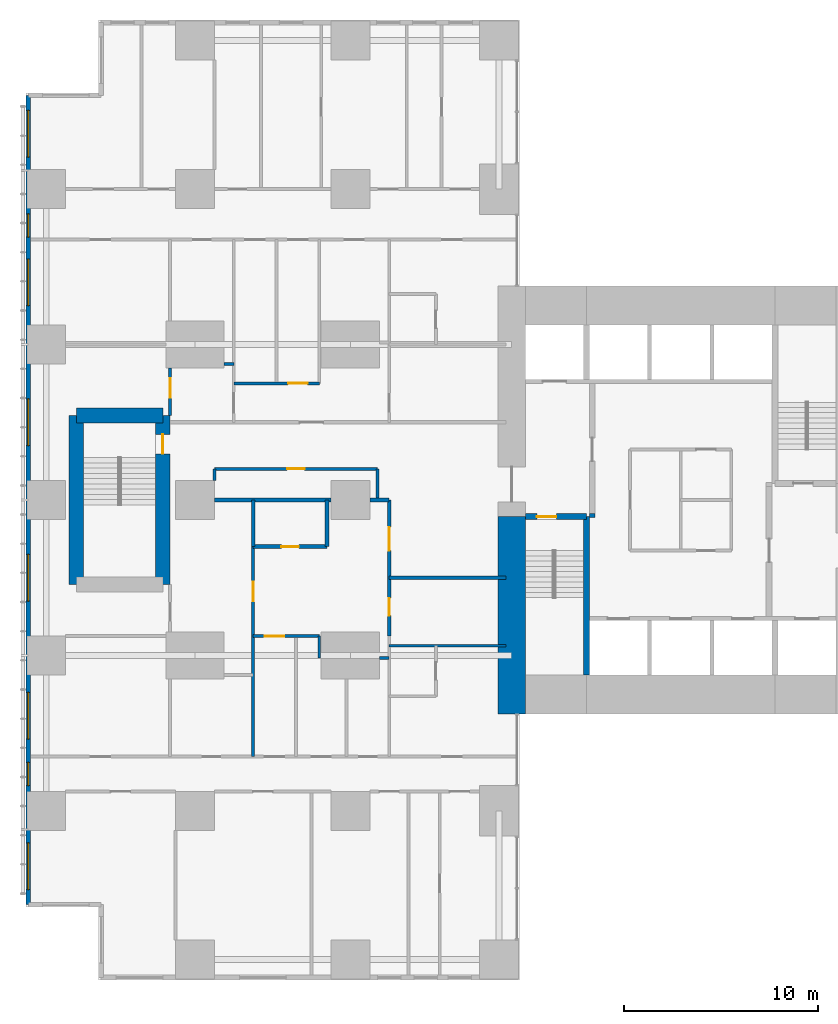
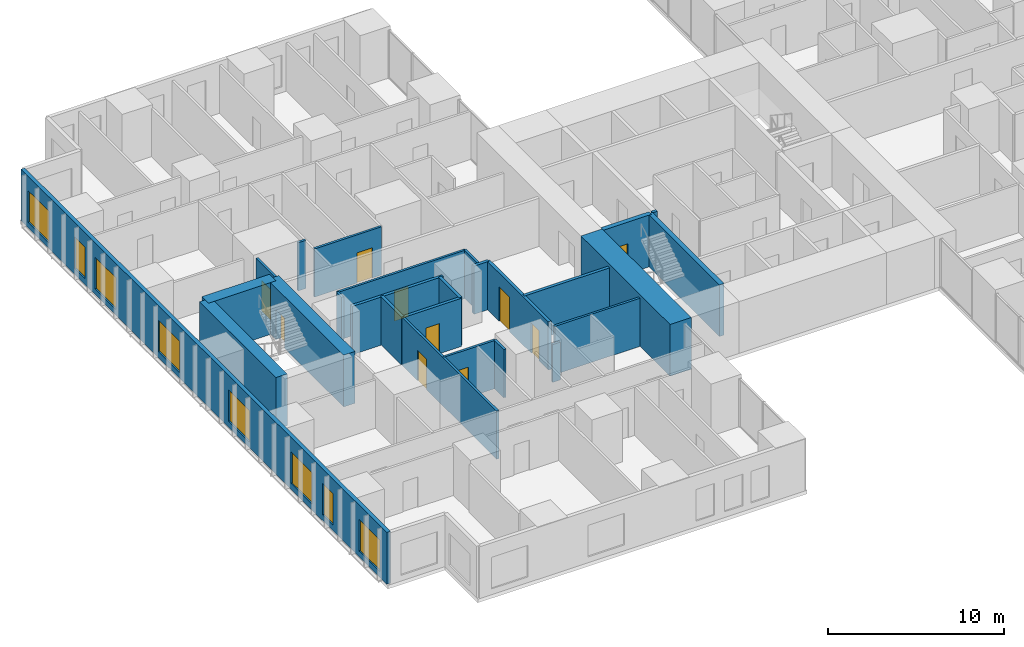
# One storey, part 13 of 20: 26 walls, 10 doors, 8 windows, 18 openings.
"""IFC4 building model written with IfcOpenShell, lengths in metres."""

from ifc_helpers import new_model, si_unit, direction, frame, frame_2d, origin, place, context, subcontext, project, spatial, rectangle, extrude, material, layer, layer_set, type_object, element, fill, save


model = new_model("IFC4")

# Units and contexts
model_context = context("Model", 3, precision=1e-05, world=origin(), true_north=direction((0.0, 1.0)))
body_context = subcontext(model_context, "Body", "Model", "MODEL_VIEW")
ifc_project = project(units=[si_unit("LENGTHUNIT", "METRE"), si_unit("AREAUNIT", "SQUARE_METRE"), si_unit("VOLUMEUNIT", "CUBIC_METRE"), si_unit("PLANEANGLEUNIT", "RADIAN"), si_unit("MASSUNIT", "GRAM", prefix="KILO")], contexts=[model_context])

# Site, building, storey
site_placement = place(None, origin())
site = spatial("IfcSite", under=ifc_project, at=site_placement, CompositionType="ELEMENT")
building_placement = place(site_placement, origin())
building = spatial("IfcBuilding", under=site, at=building_placement, Name="Cleftline Residences", CompositionType="ELEMENT")
storey_placement = place(building_placement, frame((0.0, 0.0, 103.39990234375)))
storey = spatial("IfcBuildingStorey", under=building, at=storey_placement, Name="L26", CompositionType="ELEMENT", Elevation=103.39990234375)

# Walls
ifc_material_1 = material(Name="Concrete B70", Category="concrete")
ifc_layer_1 = layer(ifc_material_1, 1.39990234375)
ifc_layer_set_1 = layer_set([ifc_layer_1], Name="CORE WALL 1400")
wall_type_1 = type_object("IfcWallType", Name="CORE WALL 1400", PredefinedType="SHEAR", material=ifc_layer_set_1)
wall_1_placement = place(storey_placement, frame((24.300048828125, 13.0, 0.0), z_axis=(0.0, 0.0, 1.0), x_axis=(0.0, 1.0, 0.0)))
element("IfcWall", 1, at=wall_1_placement, inside=storey, type_object=wall_type_1, Name="Core wall W0", PredefinedType="SHEAR", context=body_context, shape_type="SweptSolid", body=[
    extrude(rectangle(XDim=10.14990234375, YDim=1.39990234375, at=frame_2d((5.074951171875, 0.0))), origin(), (0.0, 0.0, 1.0), 3.60009765625),
])
ifc_material_2 = material(Name="Concrete B70", Category="concrete")
ifc_layer_2 = layer(ifc_material_2, 0.300048828125)
ifc_layer_set_2 = layer_set([ifc_layer_2], Name="CORE WALL 300")
wall_type_2 = type_object("IfcWallType", Name="CORE WALL 300", PredefinedType="SHEAR", material=ifc_layer_set_2)
wall_2_placement = place(storey_placement, frame((28.14990234375, 15.0, 0.0), z_axis=(0.0, 0.0, 1.0), x_axis=(0.0, 1.0, 0.0)))
element("IfcWall", 2, at=wall_2_placement, inside=storey, type_object=wall_type_2, Name="Core wall SA-E", PredefinedType="SHEAR", context=body_context, shape_type="SweptSolid", body=[
    extrude(rectangle(XDim=8.14990234375, YDim=0.300048828125, at=frame_2d((4.074951171875, 0.0))), origin(), (0.0, 0.0, 1.0), 3.60009765625),
])

# Wall, opening, door
wall_3_placement = place(storey_placement, frame((25.0, 23.14990234375, 0.0), z_axis=(0.0, 0.0, 1.0), x_axis=(1.0, 0.0, 0.0)))
wall_3 = element("IfcWall", 3, at=wall_3_placement, inside=storey, type_object=wall_type_2, Name="Core wall SA-N", PredefinedType="SHEAR", context=body_context, shape_type="SweptSolid", body=[
    extrude(rectangle(XDim=3.14990234375, YDim=0.300048828125, at=frame_2d((1.574951171875, 0.0))), origin(), (0.0, 0.0, 1.0), 3.60009765625),
])
opening_1_placement = place(wall_3_placement, frame((0.60009765625, 0.0, 0.0)))
opening_1 = element("IfcOpeningElement", 4, at=opening_1_placement, cuts=wall_3, Name="Opening D5", PredefinedType="OPENING", context=body_context, shape_type="SweptSolid", body=[
    extrude(rectangle(XDim=1.0, YDim=2.10009765625, at=frame_2d((0.5, 1.050048828125))), frame((0.0, 0.159912109375, 0.0), z_axis=(0.0, -1.0, 0.0), x_axis=(1.0, 0.0, 0.0)), (0.0, 0.0, 1.0), 0.320068359375),
])
ifc_material_3 = material(Name="Steel", Category="steel")
door_type_1 = type_object("IfcDoorType", Name="STAIR DOOR 1000X2100", OperationType="SINGLE_SWING_LEFT", PredefinedType="DOOR", material=ifc_material_3)
door_1_placement = place(opening_1_placement, origin())
door_1 = element("IfcDoor", 5, at=door_1_placement, inside=storey, type_object=door_type_1, Name="Stair A door", OperationType="SINGLE_SWING_RIGHT", OverallHeight=2.10009765625, OverallWidth=1.0, PredefinedType="DOOR", context=body_context, shape_type="SweptSolid", body=[
    extrude(rectangle(XDim=1.0, YDim=2.10009765625, at=frame_2d((0.5, 1.050048828125))), frame((0.0, 0.02490234375, 0.0), z_axis=(0.0, -1.0, 0.0), x_axis=(1.0, 0.0, 0.0)), (0.0, 0.0, 1.0), 0.050048828125),
])
fill(opening_1, door_1)

# Wall, openings, windows
ifc_material_4 = material(Name="Rendered reinforced concrete blockwork", Category="masonry")
ifc_layer_3 = layer(ifc_material_4, 0.25)
ifc_layer_set_3 = layer_set([ifc_layer_3], Name="EXTERNAL WALL 250")
wall_type_3 = type_object("IfcWallType", Name="EXTERNAL WALL 250", PredefinedType="SOLIDWALL", material=ifc_layer_set_3)
wall_4_placement = place(storey_placement, frame((-0.574951171875, 44.824951171875, 0.0), z_axis=(0.0, 0.0, 1.0), x_axis=(0.0, -1.0, 0.0)))
wall_4 = element("IfcWall", 6, at=wall_4_placement, inside=storey, type_object=wall_type_3, Name="External wall", PredefinedType="SOLIDWALL", context=body_context, shape_type="SweptSolid", body=[
    extrude(rectangle(XDim=41.64990234375, YDim=0.25, at=frame_2d((20.824951171875, 0.0))), origin(), (0.0, 0.0, 1.0), 3.60009765625),
])
opening_2_placement = place(wall_4_placement, frame((0.77490234375, 0.0, 0.39990234375)))
opening_2 = element("IfcOpeningElement", 7, at=opening_2_placement, cuts=wall_4, Name="Opening W12", PredefinedType="OPENING", context=body_context, shape_type="SweptSolid", body=[
    extrude(rectangle(XDim=2.39990234375, YDim=2.199951171875, at=frame_2d((1.199951171875, 1.10009765625))), frame((0.0, 0.135009765625, 0.0), z_axis=(0.0, -1.0, 0.0), x_axis=(1.0, 0.0, 0.0)), (0.0, 0.0, 1.0), 0.27001953125),
])
opening_3_placement = place(wall_4_placement, frame((6.10009765625, 0.0, 0.39990234375)))
opening_3 = element("IfcOpeningElement", 8, at=opening_3_placement, cuts=wall_4, Name="Opening W11", PredefinedType="OPENING", context=body_context, shape_type="SweptSolid", body=[
    extrude(rectangle(XDim=1.199951171875, YDim=2.199951171875, at=frame_2d((0.60009765625, 1.10009765625))), frame((0.0, 0.135009765625, 0.0), z_axis=(0.0, -1.0, 0.0), x_axis=(1.0, 0.0, 0.0)), (0.0, 0.0, 1.0), 0.27001953125),
])
opening_4_placement = place(wall_4_placement, frame((8.425048828125, 0.0, 0.39990234375)))
opening_4 = element("IfcOpeningElement", 9, at=opening_4_placement, cuts=wall_4, Name="Opening W12", PredefinedType="OPENING", context=body_context, shape_type="SweptSolid", body=[
    extrude(rectangle(XDim=2.39990234375, YDim=2.199951171875, at=frame_2d((1.199951171875, 1.10009765625))), frame((0.0, 0.135009765625, 0.0), z_axis=(0.0, -1.0, 0.0), x_axis=(1.0, 0.0, 0.0)), (0.0, 0.0, 1.0), 0.27001953125),
])
opening_5_placement = place(wall_4_placement, frame((15.625, 0.0, 0.39990234375)))
opening_5 = element("IfcOpeningElement", 10, at=opening_5_placement, cuts=wall_4, Name="Opening W12", PredefinedType="OPENING", context=body_context, shape_type="SweptSolid", body=[
    extrude(rectangle(XDim=2.39990234375, YDim=2.199951171875, at=frame_2d((1.199951171875, 1.10009765625))), frame((0.0, 0.135009765625, 0.0), z_axis=(0.0, -1.0, 0.0), x_axis=(1.0, 0.0, 0.0)), (0.0, 0.0, 1.0), 0.27001953125),
])
opening_6_placement = place(wall_4_placement, frame((23.625, 0.0, 0.39990234375)))
opening_6 = element("IfcOpeningElement", 11, at=opening_6_placement, cuts=wall_4, Name="Opening W12", PredefinedType="OPENING", context=body_context, shape_type="SweptSolid", body=[
    extrude(rectangle(XDim=2.39990234375, YDim=2.199951171875, at=frame_2d((1.199951171875, 1.10009765625))), frame((0.0, 0.135009765625, 0.0), z_axis=(0.0, -1.0, 0.0), x_axis=(1.0, 0.0, 0.0)), (0.0, 0.0, 1.0), 0.27001953125),
])
opening_7_placement = place(wall_4_placement, frame((30.72509765625, 0.0, 0.39990234375)))
opening_7 = element("IfcOpeningElement", 12, at=opening_7_placement, cuts=wall_4, Name="Opening W12", PredefinedType="OPENING", context=body_context, shape_type="SweptSolid", body=[
    extrude(rectangle(XDim=2.39990234375, YDim=2.199951171875, at=frame_2d((1.199951171875, 1.10009765625))), frame((0.0, 0.135009765625, 0.0), z_axis=(0.0, -1.0, 0.0), x_axis=(1.0, 0.0, 0.0)), (0.0, 0.0, 1.0), 0.27001953125),
])
opening_8_placement = place(wall_4_placement, frame((34.324951171875, 0.0, 0.39990234375)))
opening_8 = element("IfcOpeningElement", 13, at=opening_8_placement, cuts=wall_4, Name="Opening W11", PredefinedType="OPENING", context=body_context, shape_type="SweptSolid", body=[
    extrude(rectangle(XDim=1.199951171875, YDim=2.199951171875, at=frame_2d((0.60009765625, 1.10009765625))), frame((0.0, 0.135009765625, 0.0), z_axis=(0.0, -1.0, 0.0), x_axis=(1.0, 0.0, 0.0)), (0.0, 0.0, 1.0), 0.27001953125),
])
opening_9_placement = place(wall_4_placement, frame((38.47509765625, 0.0, 0.39990234375)))
opening_9 = element("IfcOpeningElement", 14, at=opening_9_placement, cuts=wall_4, Name="Opening W12", PredefinedType="OPENING", context=body_context, shape_type="SweptSolid", body=[
    extrude(rectangle(XDim=2.39990234375, YDim=2.199951171875, at=frame_2d((1.199951171875, 1.10009765625))), frame((0.0, 0.135009765625, 0.0), z_axis=(0.0, -1.0, 0.0), x_axis=(1.0, 0.0, 0.0)), (0.0, 0.0, 1.0), 0.27001953125),
])
ifc_material_5 = material(Name="Aluminium frame, clear double glazing", Category="aluminium")
window_type_1 = type_object("IfcWindowType", Name="WINDOW 1200X2200", PartitioningType="DOUBLE_PANEL_VERTICAL", PredefinedType="WINDOW", material=ifc_material_5)
window_1_placement = place(opening_3_placement, origin())
window_1 = element("IfcWindow", 15, at=window_1_placement, inside=storey, type_object=window_type_1, Name="Window", OverallHeight=2.199951171875, OverallWidth=1.199951171875, PartitioningType="SINGLE_PANEL", PredefinedType="WINDOW", context=body_context, shape_type="SweptSolid", body=[
    extrude(rectangle(XDim=1.199951171875, YDim=2.199951171875, at=frame_2d((0.60009765625, 1.10009765625))), frame((0.0, 0.030029296875, 0.0), z_axis=(0.0, -1.0, 0.0), x_axis=(1.0, 0.0, 0.0)), (0.0, 0.0, 1.0), 0.06005859375),
])
fill(opening_3, window_1)
window_2_placement = place(opening_8_placement, origin())
window_2 = element("IfcWindow", 16, at=window_2_placement, inside=storey, type_object=window_type_1, Name="Window", OverallHeight=2.199951171875, OverallWidth=1.199951171875, PartitioningType="SINGLE_PANEL", PredefinedType="WINDOW", context=body_context, shape_type="SweptSolid", body=[
    extrude(rectangle(XDim=1.199951171875, YDim=2.199951171875, at=frame_2d((0.60009765625, 1.10009765625))), frame((0.0, 0.030029296875, 0.0), z_axis=(0.0, -1.0, 0.0), x_axis=(1.0, 0.0, 0.0)), (0.0, 0.0, 1.0), 0.06005859375),
])
fill(opening_8, window_2)
ifc_material_6 = material(Name="Aluminium frame, clear double glazing", Category="aluminium")
window_type_2 = type_object("IfcWindowType", Name="WINDOW 2400X2200", PartitioningType="DOUBLE_PANEL_VERTICAL", PredefinedType="WINDOW", material=ifc_material_6)
window_3_placement = place(opening_2_placement, origin())
window_3 = element("IfcWindow", 17, at=window_3_placement, inside=storey, type_object=window_type_2, Name="Window", OverallHeight=2.199951171875, OverallWidth=2.39990234375, PartitioningType="SINGLE_PANEL", PredefinedType="WINDOW", context=body_context, shape_type="SweptSolid", body=[
    extrude(rectangle(XDim=2.39990234375, YDim=2.199951171875, at=frame_2d((1.199951171875, 1.10009765625))), frame((0.0, 0.030029296875, 0.0), z_axis=(0.0, -1.0, 0.0), x_axis=(1.0, 0.0, 0.0)), (0.0, 0.0, 1.0), 0.06005859375),
])
fill(opening_2, window_3)
window_4_placement = place(opening_4_placement, origin())
window_4 = element("IfcWindow", 18, at=window_4_placement, inside=storey, type_object=window_type_2, Name="Window", OverallHeight=2.199951171875, OverallWidth=2.39990234375, PartitioningType="SINGLE_PANEL", PredefinedType="WINDOW", context=body_context, shape_type="SweptSolid", body=[
    extrude(rectangle(XDim=2.39990234375, YDim=2.199951171875, at=frame_2d((1.199951171875, 1.10009765625))), frame((0.0, 0.030029296875, 0.0), z_axis=(0.0, -1.0, 0.0), x_axis=(1.0, 0.0, 0.0)), (0.0, 0.0, 1.0), 0.06005859375),
])
fill(opening_4, window_4)
window_5_placement = place(opening_5_placement, origin())
window_5 = element("IfcWindow", 19, at=window_5_placement, inside=storey, type_object=window_type_2, Name="Window", OverallHeight=2.199951171875, OverallWidth=2.39990234375, PartitioningType="SINGLE_PANEL", PredefinedType="WINDOW", context=body_context, shape_type="SweptSolid", body=[
    extrude(rectangle(XDim=2.39990234375, YDim=2.199951171875, at=frame_2d((1.199951171875, 1.10009765625))), frame((0.0, 0.030029296875, 0.0), z_axis=(0.0, -1.0, 0.0), x_axis=(1.0, 0.0, 0.0)), (0.0, 0.0, 1.0), 0.06005859375),
])
fill(opening_5, window_5)
window_6_placement = place(opening_6_placement, origin())
window_6 = element("IfcWindow", 20, at=window_6_placement, inside=storey, type_object=window_type_2, Name="Window", OverallHeight=2.199951171875, OverallWidth=2.39990234375, PartitioningType="SINGLE_PANEL", PredefinedType="WINDOW", context=body_context, shape_type="SweptSolid", body=[
    extrude(rectangle(XDim=2.39990234375, YDim=2.199951171875, at=frame_2d((1.199951171875, 1.10009765625))), frame((0.0, 0.030029296875, 0.0), z_axis=(0.0, -1.0, 0.0), x_axis=(1.0, 0.0, 0.0)), (0.0, 0.0, 1.0), 0.06005859375),
])
fill(opening_6, window_6)
window_7_placement = place(opening_7_placement, origin())
window_7 = element("IfcWindow", 21, at=window_7_placement, inside=storey, type_object=window_type_2, Name="Window", OverallHeight=2.199951171875, OverallWidth=2.39990234375, PartitioningType="SINGLE_PANEL", PredefinedType="WINDOW", context=body_context, shape_type="SweptSolid", body=[
    extrude(rectangle(XDim=2.39990234375, YDim=2.199951171875, at=frame_2d((1.199951171875, 1.10009765625))), frame((0.0, 0.030029296875, 0.0), z_axis=(0.0, -1.0, 0.0), x_axis=(1.0, 0.0, 0.0)), (0.0, 0.0, 1.0), 0.06005859375),
])
fill(opening_7, window_7)
window_8_placement = place(opening_9_placement, origin())
window_8 = element("IfcWindow", 22, at=window_8_placement, inside=storey, type_object=window_type_2, Name="Window", OverallHeight=2.199951171875, OverallWidth=2.39990234375, PartitioningType="SINGLE_PANEL", PredefinedType="WINDOW", context=body_context, shape_type="SweptSolid", body=[
    extrude(rectangle(XDim=2.39990234375, YDim=2.199951171875, at=frame_2d((1.199951171875, 1.10009765625))), frame((0.0, 0.030029296875, 0.0), z_axis=(0.0, -1.0, 0.0), x_axis=(1.0, 0.0, 0.0)), (0.0, 0.0, 1.0), 0.06005859375),
])
fill(opening_9, window_8)

# Wall
ifc_material_7 = material(Name="Concrete blockwork, fire rated", Category="masonry")
ifc_layer_4 = layer(ifc_material_7, 0.199951171875)
ifc_layer_set_4 = layer_set([ifc_layer_4], Name="FIRE WALL 200")
wall_type_4 = type_object("IfcWallType", Name="FIRE WALL 200", PredefinedType="PARTITIONING", material=ifc_layer_set_4)
wall_5_placement = place(storey_placement, frame((18.0, 20.0, 0.0), z_axis=(0.0, 0.0, 1.0), x_axis=(1.0, 0.0, 0.0)))
element("IfcWall", 23, at=wall_5_placement, inside=storey, type_object=wall_type_4, Name="Fire separating wall", PredefinedType="PARTITIONING", context=body_context, shape_type="SweptSolid", body=[
    extrude(rectangle(XDim=6.0, YDim=0.199951171875, at=frame_2d((3.0, 0.0))), origin(), (0.0, 0.0, 1.0), 3.35009765625),
])

# Wall, opening, door
wall_6_placement = place(storey_placement, frame((11.0, 21.60009765625, 0.0), z_axis=(0.0, 0.0, 1.0), x_axis=(1.0, 0.0, 0.0)))
wall_6 = element("IfcWall", 24, at=wall_6_placement, inside=storey, type_object=wall_type_4, Name="Fire separating wall", PredefinedType="PARTITIONING", context=body_context, shape_type="SweptSolid", body=[
    extrude(rectangle(XDim=3.800048828125, YDim=0.199951171875, at=frame_2d((1.89990234375, 0.0))), origin(), (0.0, 0.0, 1.0), 3.35009765625),
])
opening_10_placement = place(wall_6_placement, frame((1.449951171875, 0.0, 0.0)))
opening_10 = element("IfcOpeningElement", 25, at=opening_10_placement, cuts=wall_6, Name="Opening D1F30", PredefinedType="OPENING", context=body_context, shape_type="SweptSolid", body=[
    extrude(rectangle(XDim=0.89990234375, YDim=2.10009765625, at=frame_2d((0.449951171875, 1.050048828125))), frame((0.0, 0.10986328125, 0.0), z_axis=(0.0, -1.0, 0.0), x_axis=(1.0, 0.0, 0.0)), (0.0, 0.0, 1.0), 0.219970703125),
])
ifc_material_8 = material(Name="Timber veneer on solid core", Category="wood")
door_type_2 = type_object("IfcDoorType", Name="DOOR 900X2100 EI 30", OperationType="SINGLE_SWING_LEFT", PredefinedType="DOOR", material=ifc_material_8)
door_2_placement = place(opening_10_placement, origin())
door_2 = element("IfcDoor", 26, at=door_2_placement, inside=storey, type_object=door_type_2, Name="Door to cloakroom wc", OperationType="SINGLE_SWING_LEFT", OverallHeight=2.10009765625, OverallWidth=0.89990234375, PredefinedType="DOOR", context=body_context, shape_type="SweptSolid", body=[
    extrude(rectangle(XDim=0.89990234375, YDim=2.10009765625, at=frame_2d((0.449951171875, 1.050048828125))), frame((0.0, 0.02490234375, 0.0), z_axis=(0.0, -1.0, 0.0), x_axis=(1.0, 0.0, 0.0)), (0.0, 0.0, 1.0), 0.050048828125),
])
fill(opening_10, door_2)

# Walls
wall_7_placement = place(storey_placement, frame((9.0, 24.0, 0.0), z_axis=(0.0, 0.0, 1.0), x_axis=(1.0, 0.0, 0.0)))
element("IfcWall", 27, at=wall_7_placement, inside=storey, type_object=wall_type_4, Name="Fire separating wall", PredefinedType="PARTITIONING", context=body_context, shape_type="SweptSolid", body=[
    extrude(rectangle(XDim=6.0, YDim=0.199951171875, at=frame_2d((3.0, 0.0))), origin(), (0.0, 0.0, 1.0), 3.35009765625),
])
wall_8_placement = place(storey_placement, frame((17.0, 24.0, 0.0), z_axis=(0.0, 0.0, 1.0), x_axis=(1.0, 0.0, 0.0)))
element("IfcWall", 28, at=wall_8_placement, inside=storey, type_object=wall_type_4, Name="Fire separating wall", PredefinedType="PARTITIONING", context=body_context, shape_type="SweptSolid", body=[
    extrude(rectangle(XDim=1.0, YDim=0.199951171875, at=frame_2d((0.5, 0.0))), origin(), (0.0, 0.0, 1.0), 3.35009765625),
])
for number, where, z_axis, x_axis, name in (
    (29, (11.0, 21.60009765625, 0.0), (0.0, 0.0, 1.0), (0.0, 1.0, 0.0), "Fire separating wall"),
    (30, (14.800048828125, 21.60009765625, 0.0), (0.0, 0.0, 1.0), (0.0, 1.0, 0.0), "Fire separating wall"),
):
    element("IfcWall", number, at=place(storey_placement, frame(where, z_axis=z_axis, x_axis=x_axis)), inside=storey, type_object=wall_type_4, Name=name, PredefinedType="PARTITIONING", context=body_context, shape_type="SweptSolid", body=[
        extrude(rectangle(XDim=2.39990234375, YDim=0.199951171875, at=frame_2d((1.199951171875, 0.0))), origin(), (0.0, 0.0, 1.0), 3.35009765625),
    ])

# Wall, openings, doors
wall_9_placement = place(storey_placement, frame((18.0, 17.0, 0.0), z_axis=(0.0, 0.0, 1.0), x_axis=(0.0, 1.0, 0.0)))
wall_9 = element("IfcWall", 31, at=wall_9_placement, inside=storey, type_object=wall_type_4, Name="Fire separating wall", PredefinedType="PARTITIONING", context=body_context, shape_type="SweptSolid", body=[
    extrude(rectangle(XDim=7.0, YDim=0.199951171875, at=frame_2d((3.5, 0.0))), origin(), (0.0, 0.0, 1.0), 3.35009765625),
])
opening_11_placement = place(wall_9_placement, frame((4.39990234375, 0.0, 0.0)))
opening_11 = element("IfcOpeningElement", 32, at=opening_11_placement, cuts=wall_9, Name="Opening D4", PredefinedType="OPENING", context=body_context, shape_type="SweptSolid", body=[
    extrude(rectangle(XDim=1.199951171875, YDim=2.39990234375, at=frame_2d((0.60009765625, 1.199951171875))), frame((0.0, 0.10986328125, 0.0), z_axis=(0.0, -1.0, 0.0), x_axis=(1.0, 0.0, 0.0)), (0.0, 0.0, 1.0), 0.219970703125),
])
opening_12_placement = place(wall_9_placement, frame((1.050048828125, 0.0, 0.0)))
opening_12 = element("IfcOpeningElement", 33, at=opening_12_placement, cuts=wall_9, Name="Opening D1F30", PredefinedType="OPENING", context=body_context, shape_type="SweptSolid", body=[
    extrude(rectangle(XDim=0.89990234375, YDim=2.10009765625, at=frame_2d((0.449951171875, 1.050048828125))), frame((0.0, 0.10986328125, 0.0), z_axis=(0.0, -1.0, 0.0), x_axis=(1.0, 0.0, 0.0)), (0.0, 0.0, 1.0), 0.219970703125),
])
ifc_material_9 = material(Name="Timber veneer on solid core", Category="wood")
door_type_3 = type_object("IfcDoorType", Name="APARTMENT ENTRANCE DOOR 1200X2400", OperationType="SINGLE_SWING_RIGHT", PredefinedType="DOOR", material=ifc_material_9)
door_3_placement = place(opening_11_placement, origin())
door_3 = element("IfcDoor", 34, at=door_3_placement, inside=storey, type_object=door_type_3, Name="Door to residence entrance foyer", OperationType="SINGLE_SWING_LEFT", OverallHeight=2.39990234375, OverallWidth=1.199951171875, PredefinedType="DOOR", context=body_context, shape_type="SweptSolid", body=[
    extrude(rectangle(XDim=1.199951171875, YDim=2.39990234375, at=frame_2d((0.60009765625, 1.199951171875))), frame((0.0, 0.02490234375, 0.0), z_axis=(0.0, -1.0, 0.0), x_axis=(1.0, 0.0, 0.0)), (0.0, 0.0, 1.0), 0.050048828125),
])
fill(opening_11, door_3)
door_4_placement = place(opening_12_placement, origin())
door_4 = element("IfcDoor", 35, at=door_4_placement, inside=storey, type_object=door_type_2, Name="Door to laundry", OperationType="SINGLE_SWING_RIGHT", OverallHeight=2.10009765625, OverallWidth=0.89990234375, PredefinedType="DOOR", context=body_context, shape_type="SweptSolid", body=[
    extrude(rectangle(XDim=0.89990234375, YDim=2.10009765625, at=frame_2d((0.449951171875, 1.050048828125))), frame((0.0, 0.02490234375, 0.0), z_axis=(0.0, -1.0, 0.0), x_axis=(1.0, 0.0, 0.0)), (0.0, 0.0, 1.0), 0.050048828125),
])
fill(opening_12, door_4)

# Walls
wall_10_placement = place(storey_placement, frame((28.300048828125, 23.199951171875, 0.0), z_axis=(0.0, 0.0, 1.0), x_axis=(1.0, 0.0, 0.0)))
element("IfcWall", 36, at=wall_10_placement, inside=storey, type_object=wall_type_4, Name="Fire separating wall", PredefinedType="PARTITIONING", context=body_context, shape_type="SweptSolid", body=[
    extrude(rectangle(XDim=0.300048828125, YDim=0.199951171875, at=frame_2d((0.14990234375, 0.0))), origin(), (0.0, 0.0, 1.0), 3.60009765625),
])
ifc_material_10 = material(Name="Gypsum board on steel studs", Category="steel")
ifc_layer_5 = layer(ifc_material_10, 0.14990234375)
ifc_layer_set_5 = layer_set([ifc_layer_5], Name="PARTITION 150")
wall_type_5 = type_object("IfcWallType", Name="PARTITION 150", PredefinedType="PARTITIONING", material=ifc_layer_set_5)
wall_11_placement = place(storey_placement, frame((17.5, 15.875, 0.0), z_axis=(0.0, 0.0, 1.0), x_axis=(1.0, 0.0, 0.0)))
element("IfcWall", 37, at=wall_11_placement, inside=storey, type_object=wall_type_5, Name="Partition", PredefinedType="PARTITIONING", context=body_context, shape_type="SweptSolid", body=[
    extrude(rectangle(XDim=0.5, YDim=0.14990234375, at=frame_2d((0.25, 0.0))), origin(), (0.0, 0.0, 1.0), 2.634033203125),
])
wall_12_placement = place(storey_placement, frame((18.0, 16.5, 0.0), z_axis=(0.0, 0.0, 1.0), x_axis=(1.0, 0.0, 0.0)))
element("IfcWall", 38, at=wall_12_placement, inside=storey, type_object=wall_type_5, Name="Partition", PredefinedType="PARTITIONING", context=body_context, shape_type="SweptSolid", body=[
    extrude(rectangle(XDim=6.0, YDim=0.14990234375, at=frame_2d((3.0, 0.0))), origin(), (0.0, 0.0, 1.0), 3.35009765625),
])

# Wall, opening, door
wall_13_placement = place(storey_placement, frame((11.0, 17.0, 0.0), z_axis=(0.0, 0.0, 1.0), x_axis=(1.0, 0.0, 0.0)))
wall_13 = element("IfcWall", 39, at=wall_13_placement, inside=storey, type_object=wall_type_5, Name="Partition", PredefinedType="PARTITIONING", context=body_context, shape_type="SweptSolid", body=[
    extrude(rectangle(XDim=3.39990234375, YDim=0.14990234375, at=frame_2d((1.699951171875, 0.0))), origin(), (0.0, 0.0, 1.0), 3.35009765625),
])
opening_13_placement = place(wall_13_placement, frame((0.60009765625, 0.0, 0.0)))
opening_13 = element("IfcOpeningElement", 40, at=opening_13_placement, cuts=wall_13, Name="Opening D2", PredefinedType="OPENING", context=body_context, shape_type="SweptSolid", body=[
    extrude(rectangle(XDim=1.0, YDim=2.10009765625, at=frame_2d((0.5, 1.050048828125))), frame((0.0, 0.0849609375, 0.0), z_axis=(0.0, -1.0, 0.0), x_axis=(1.0, 0.0, 0.0)), (0.0, 0.0, 1.0), 0.169921875),
])
ifc_material_11 = material(Name="Timber veneer on solid core", Category="wood")
door_type_4 = type_object("IfcDoorType", Name="DOOR 1000X2100", OperationType="SINGLE_SWING_LEFT", PredefinedType="DOOR", material=ifc_material_11)
door_5_placement = place(opening_13_placement, origin())
door_5 = element("IfcDoor", 41, at=door_5_placement, inside=storey, type_object=door_type_4, Name="Door to residence passage", OperationType="SINGLE_SWING_RIGHT", OverallHeight=2.10009765625, OverallWidth=1.0, PredefinedType="DOOR", context=body_context, shape_type="SweptSolid", body=[
    extrude(rectangle(XDim=1.0, YDim=2.10009765625, at=frame_2d((0.5, 1.050048828125))), frame((0.0, 0.02490234375, 0.0), z_axis=(0.0, -1.0, 0.0), x_axis=(1.0, 0.0, 0.0)), (0.0, 0.0, 1.0), 0.050048828125),
])
fill(opening_13, door_5)

wall_14_placement = place(storey_placement, frame((9.0, 25.60009765625, 0.0), z_axis=(0.0, 0.0, 1.0), x_axis=(1.0, 0.0, 0.0)))
wall_14 = element("IfcWall", 42, at=wall_14_placement, inside=storey, type_object=wall_type_5, Name="Partition", PredefinedType="PARTITIONING", context=body_context, shape_type="SweptSolid", body=[
    extrude(rectangle(XDim=8.39990234375, YDim=0.14990234375, at=frame_2d((4.199951171875, 0.0))), origin(), (0.0, 0.0, 1.0), 3.35009765625),
])
opening_14_placement = place(wall_14_placement, frame((3.75, 0.0, 0.0)))
opening_14 = element("IfcOpeningElement", 43, at=opening_14_placement, cuts=wall_14, Name="Opening D1", PredefinedType="OPENING", context=body_context, shape_type="SweptSolid", body=[
    extrude(rectangle(XDim=0.89990234375, YDim=2.10009765625, at=frame_2d((0.449951171875, 1.050048828125))), frame((0.0, 0.0849609375, 0.0), z_axis=(0.0, -1.0, 0.0), x_axis=(1.0, 0.0, 0.0)), (0.0, 0.0, 1.0), 0.169921875),
])
ifc_material_12 = material(Name="Timber veneer on solid core", Category="wood")
door_type_5 = type_object("IfcDoorType", Name="DOOR 900X2100", OperationType="SINGLE_SWING_LEFT", PredefinedType="DOOR", material=ifc_material_12)
door_6_placement = place(opening_14_placement, origin())
door_6 = element("IfcDoor", 44, at=door_6_placement, inside=storey, type_object=door_type_5, Name="Door to residents' locker room", OperationType="SINGLE_SWING_LEFT", OverallHeight=2.10009765625, OverallWidth=0.89990234375, PredefinedType="DOOR", context=body_context, shape_type="SweptSolid", body=[
    extrude(rectangle(XDim=0.89990234375, YDim=2.10009765625, at=frame_2d((0.449951171875, 1.050048828125))), frame((0.0, 0.02490234375, 0.0), z_axis=(0.0, -1.0, 0.0), x_axis=(1.0, 0.0, 0.0)), (0.0, 0.0, 1.0), 0.050048828125),
])
fill(opening_14, door_6)

wall_15_placement = place(storey_placement, frame((10.0, 30.0, 0.0), z_axis=(0.0, 0.0, 1.0), x_axis=(1.0, 0.0, 0.0)))
wall_15 = element("IfcWall", 45, at=wall_15_placement, inside=storey, type_object=wall_type_5, Name="Partition", PredefinedType="PARTITIONING", context=body_context, shape_type="SweptSolid", body=[
    extrude(rectangle(XDim=4.39990234375, YDim=0.14990234375, at=frame_2d((2.199951171875, 0.0))), origin(), (0.0, 0.0, 1.0), 3.35009765625),
])
opening_15_placement = place(wall_15_placement, frame((2.800048828125, 0.0, 0.0)))
opening_15 = element("IfcOpeningElement", 46, at=opening_15_placement, cuts=wall_15, Name="Opening D2", PredefinedType="OPENING", context=body_context, shape_type="SweptSolid", body=[
    extrude(rectangle(XDim=1.0, YDim=2.10009765625, at=frame_2d((0.5, 1.050048828125))), frame((0.0, 0.0849609375, 0.0), z_axis=(0.0, -1.0, 0.0), x_axis=(1.0, 0.0, 0.0)), (0.0, 0.0, 1.0), 0.169921875),
])
door_7_placement = place(opening_15_placement, origin())
door_7 = element("IfcDoor", 47, at=door_7_placement, inside=storey, type_object=door_type_4, Name="Door to residence passage", OperationType="SINGLE_SWING_LEFT", OverallHeight=2.10009765625, OverallWidth=1.0, PredefinedType="DOOR", context=body_context, shape_type="SweptSolid", body=[
    extrude(rectangle(XDim=1.0, YDim=2.10009765625, at=frame_2d((0.5, 1.050048828125))), frame((0.0, 0.02490234375, 0.0), z_axis=(0.0, -1.0, 0.0), x_axis=(1.0, 0.0, 0.0)), (0.0, 0.0, 1.0), 0.050048828125),
])
fill(opening_15, door_7)

# Wall
wall_16_placement = place(storey_placement, frame((9.5, 31.0, 0.0), z_axis=(0.0, 0.0, 1.0), x_axis=(1.0, 0.0, 0.0)))
element("IfcWall", 48, at=wall_16_placement, inside=storey, type_object=wall_type_5, Name="Partition", PredefinedType="PARTITIONING", context=body_context, shape_type="SweptSolid", body=[
    extrude(rectangle(XDim=0.5, YDim=0.14990234375, at=frame_2d((0.25, 0.0))), origin(), (0.0, 0.0, 1.0), 3.35009765625),
])

# Wall, opening, door
wall_17_placement = place(storey_placement, frame((6.72509765625, 28.35009765625, 0.0), z_axis=(0.0, 0.0, 1.0), x_axis=(0.0, 1.0, 0.0)))
wall_17 = element("IfcWall", 49, at=wall_17_placement, inside=storey, type_object=wall_type_5, Name="Partition", PredefinedType="PARTITIONING", context=body_context, shape_type="SweptSolid", body=[
    extrude(rectangle(XDim=2.449951171875, YDim=0.14990234375, at=frame_2d((1.22509765625, 0.0))), origin(), (0.0, 0.0, 1.0), 3.35009765625),
])
opening_16_placement = place(wall_17_placement, frame((0.91259765625, 0.0, 0.0)))
opening_16 = element("IfcOpeningElement", 50, at=opening_16_placement, cuts=wall_17, Name="Opening D2", PredefinedType="OPENING", context=body_context, shape_type="SweptSolid", body=[
    extrude(rectangle(XDim=1.0, YDim=2.10009765625, at=frame_2d((0.5, 1.050048828125))), frame((0.0, 0.0849609375, 0.0), z_axis=(0.0, -1.0, 0.0), x_axis=(1.0, 0.0, 0.0)), (0.0, 0.0, 1.0), 0.169921875),
])
door_8_placement = place(opening_16_placement, origin())
door_8 = element("IfcDoor", 51, at=door_8_placement, inside=storey, type_object=door_type_4, Name="Door to staff bedroom", OperationType="SINGLE_SWING_LEFT", OverallHeight=2.10009765625, OverallWidth=1.0, PredefinedType="DOOR", context=body_context, shape_type="SweptSolid", body=[
    extrude(rectangle(XDim=1.0, YDim=2.10009765625, at=frame_2d((0.5, 1.050048828125))), frame((0.0, 0.02490234375, 0.0), z_axis=(0.0, -1.0, 0.0), x_axis=(1.0, 0.0, 0.0)), (0.0, 0.0, 1.0), 0.050048828125),
])
fill(opening_16, door_8)

# Wall
wall_18_placement = place(storey_placement, frame((9.0, 25.0, 0.0), z_axis=(0.0, 0.0, 1.0), x_axis=(0.0, 1.0, 0.0)))
element("IfcWall", 52, at=wall_18_placement, inside=storey, type_object=wall_type_5, Name="Partition", PredefinedType="PARTITIONING", context=body_context, shape_type="SweptSolid", body=[
    extrude(rectangle(XDim=0.60009765625, YDim=0.14990234375, at=frame_2d((0.300048828125, 0.0))), origin(), (0.0, 0.0, 1.0), 3.35009765625),
])

# Wall, opening, door
wall_19_placement = place(storey_placement, frame((11.0, 10.800048828125, 0.0), z_axis=(0.0, 0.0, 1.0), x_axis=(0.0, 1.0, 0.0)))
wall_19 = element("IfcWall", 53, at=wall_19_placement, inside=storey, type_object=wall_type_5, Name="Partition", PredefinedType="PARTITIONING", context=body_context, shape_type="SweptSolid", body=[
    extrude(rectangle(XDim=10.800048828125, YDim=0.14990234375, at=frame_2d((5.39990234375, 0.0))), origin(), (0.0, 0.0, 1.0), 3.35009765625),
])
opening_17_placement = place(wall_19_placement, frame((8.0, 0.0, 0.0)))
opening_17 = element("IfcOpeningElement", 54, at=opening_17_placement, cuts=wall_19, Name="Opening D2F30", PredefinedType="OPENING", context=body_context, shape_type="SweptSolid", body=[
    extrude(rectangle(XDim=1.0, YDim=2.10009765625, at=frame_2d((0.5, 1.050048828125))), frame((0.0, 0.0849609375, 0.0), z_axis=(0.0, -1.0, 0.0), x_axis=(1.0, 0.0, 0.0)), (0.0, 0.0, 1.0), 0.169921875),
])
ifc_material_13 = material(Name="Timber veneer on solid core", Category="wood")
door_type_6 = type_object("IfcDoorType", Name="DOOR 1000X2100 EI 30", OperationType="SINGLE_SWING_LEFT", PredefinedType="DOOR", material=ifc_material_13)
door_9_placement = place(opening_17_placement, origin())
door_9 = element("IfcDoor", 55, at=door_9_placement, inside=storey, type_object=door_type_6, Name="Door to residence lobby", OperationType="SINGLE_SWING_LEFT", OverallHeight=2.10009765625, OverallWidth=1.0, PredefinedType="DOOR", context=body_context, shape_type="SweptSolid", body=[
    extrude(rectangle(XDim=1.0, YDim=2.10009765625, at=frame_2d((0.5, 1.050048828125))), frame((0.0, 0.02490234375, 0.0), z_axis=(0.0, -1.0, 0.0), x_axis=(1.0, 0.0, 0.0)), (0.0, 0.0, 1.0), 0.050048828125),
])
fill(opening_17, door_9)

# Walls
wall_20_placement = place(storey_placement, frame((14.39990234375, 15.875, 0.0), z_axis=(0.0, 0.0, 1.0), x_axis=(0.0, 1.0, 0.0)))
element("IfcWall", 56, at=wall_20_placement, inside=storey, type_object=wall_type_5, Name="Partition", PredefinedType="PARTITIONING", context=body_context, shape_type="SweptSolid", body=[
    extrude(rectangle(XDim=1.125, YDim=0.14990234375, at=frame_2d((0.5625, 0.0))), origin(), (0.0, 0.0, 1.0), 3.35009765625),
])
wall_21_placement = place(storey_placement, frame((17.39990234375, 24.0, 0.0), z_axis=(0.0, 0.0, 1.0), x_axis=(0.0, 1.0, 0.0)))
element("IfcWall", 57, at=wall_21_placement, inside=storey, type_object=wall_type_5, Name="Partition", PredefinedType="PARTITIONING", context=body_context, shape_type="SweptSolid", body=[
    extrude(rectangle(XDim=1.60009765625, YDim=0.14990234375, at=frame_2d((0.800048828125, 0.0))), origin(), (0.0, 0.0, 1.0), 3.35009765625),
])

# Wall, opening, door
ifc_material_14 = material(Name="Concrete B70", Category="concrete")
ifc_layer_6 = layer(ifc_material_14, 0.75)
ifc_layer_set_6 = layer_set([ifc_layer_6], Name="SHEAR WALL 750")
wall_type_6 = type_object("IfcWallType", Name="SHEAR WALL 750", PredefinedType="SHEAR", material=ifc_layer_set_6)
wall_22_placement = place(storey_placement, frame((6.35009765625, 19.64990234375, 0.0), z_axis=(0.0, 0.0, 1.0), x_axis=(0.0, 1.0, 0.0)))
wall_22 = element("IfcWall", 58, at=wall_22_placement, inside=storey, type_object=wall_type_6, Name="Wing shear wall", PredefinedType="SHEAR", context=body_context, shape_type="SweptSolid", body=[
    extrude(rectangle(XDim=8.7001953125, YDim=0.75, at=frame_2d((4.35009765625, 0.0))), origin(), (0.0, 0.0, 1.0), 3.60009765625),
])
opening_18_placement = place(wall_22_placement, frame((6.72509765625, 0.0, 0.0)))
opening_18 = element("IfcOpeningElement", 59, at=opening_18_placement, cuts=wall_22, Name="Opening D5", PredefinedType="OPENING", context=body_context, shape_type="SweptSolid", body=[
    extrude(rectangle(XDim=1.0, YDim=2.10009765625, at=frame_2d((0.5, 1.050048828125))), frame((0.0, 0.385009765625, 0.0), z_axis=(0.0, -1.0, 0.0), x_axis=(1.0, 0.0, 0.0)), (0.0, 0.0, 1.0), 0.77001953125),
])
door_10_placement = place(opening_18_placement, origin())
door_10 = element("IfcDoor", 60, at=door_10_placement, inside=storey, type_object=door_type_1, Name="Stair W door", OperationType="SINGLE_SWING_LEFT", OverallHeight=2.10009765625, OverallWidth=1.0, PredefinedType="DOOR", context=body_context, shape_type="SweptSolid", body=[
    extrude(rectangle(XDim=1.0, YDim=2.10009765625, at=frame_2d((0.5, 1.050048828125))), frame((0.0, 0.02490234375, 0.0), z_axis=(0.0, -1.0, 0.0), x_axis=(1.0, 0.0, 0.0)), (0.0, 0.0, 1.0), 0.050048828125),
])
fill(opening_18, door_10)

# Walls
wall_23_placement = place(storey_placement, frame((6.35009765625, 28.35009765625, 0.0), z_axis=(0.0, 0.0, 1.0), x_axis=(-1.0, 0.0, 0.0)))
element("IfcWall", 61, at=wall_23_placement, inside=storey, type_object=wall_type_6, Name="Wing shear wall", PredefinedType="SHEAR", context=body_context, shape_type="SweptSolid", body=[
    extrude(rectangle(XDim=4.4501953125, YDim=0.75, at=frame_2d((2.22509765625, 0.0))), origin(), (0.0, 0.0, 1.0), 3.60009765625),
])
wall_24_placement = place(storey_placement, frame((1.89990234375, 28.35009765625, 0.0), z_axis=(0.0, 0.0, 1.0), x_axis=(0.0, -1.0, 0.0)))
element("IfcWall", 62, at=wall_24_placement, inside=storey, type_object=wall_type_6, Name="Wing shear wall", PredefinedType="SHEAR", context=body_context, shape_type="SweptSolid", body=[
    extrude(rectangle(XDim=8.7001953125, YDim=0.75, at=frame_2d((4.35009765625, 0.0))), origin(), (0.0, 0.0, 1.0), 3.60009765625),
])

save(model, "model.ifc")
